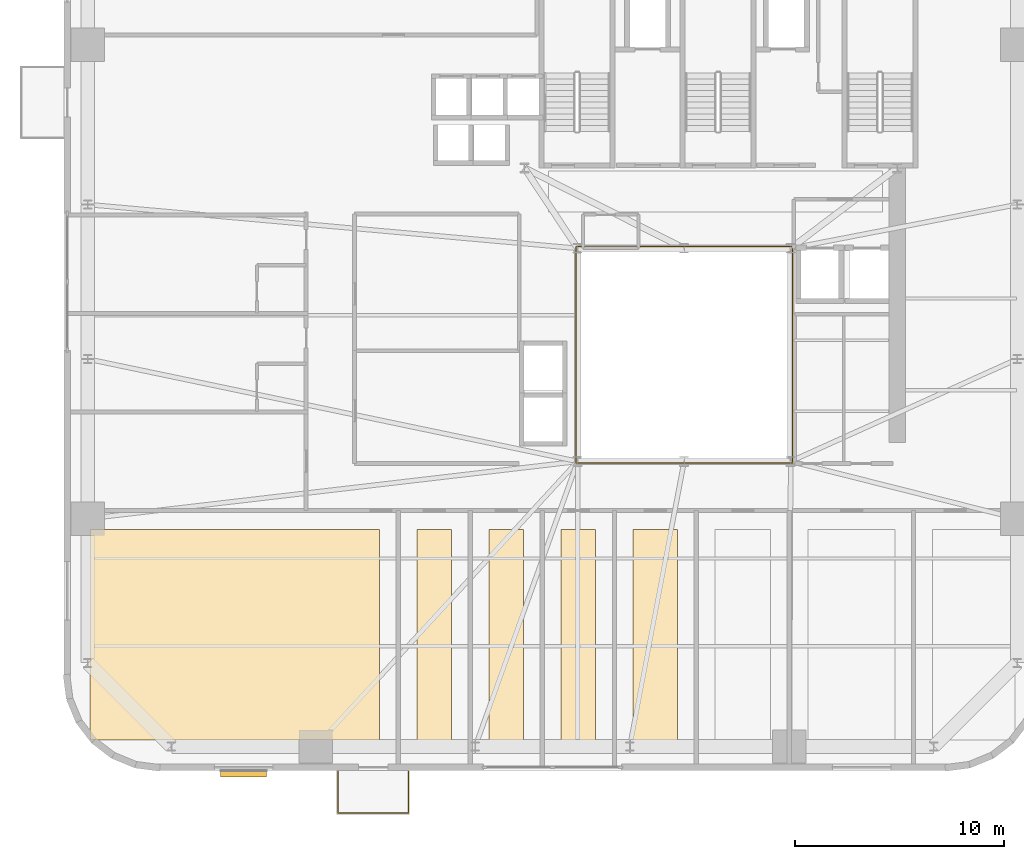
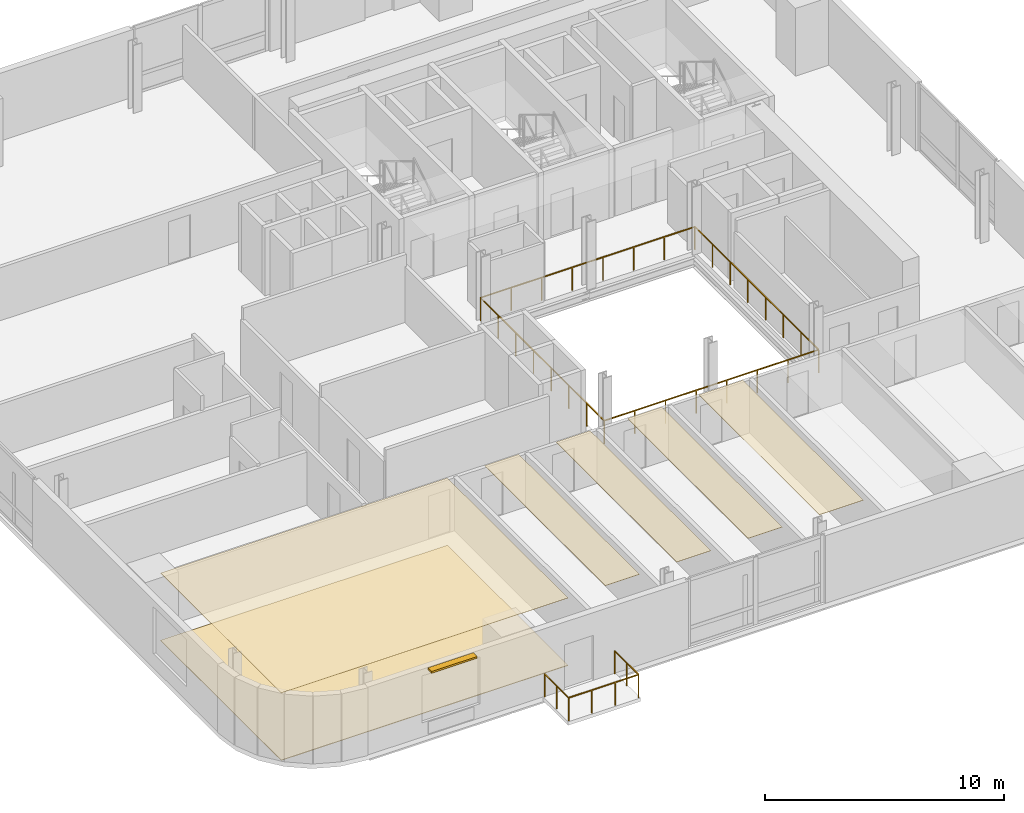
# One storey, part 10 of 14: 6 coverings, 2 railings, 1 shading device.
"""IFC4 building model written with IfcOpenShell, lengths in metres."""

from ifc_helpers import new_model, si_unit, direction, frame, origin, origin_2d, place, context, subcontext, project, spatial, polyline, rectangle, outline, extrude, source, transform, mapped, material, layer, layer_set, type_object, element, save


model = new_model("IFC4")

# Units and contexts
model_context = context("Model", 3, precision=1e-05, world=origin(), true_north=direction((0.0, 1.0)))
body_context = subcontext(model_context, "Body", "Model", "MODEL_VIEW")
ifc_project = project(units=[si_unit("LENGTHUNIT", "METRE"), si_unit("AREAUNIT", "SQUARE_METRE"), si_unit("VOLUMEUNIT", "CUBIC_METRE"), si_unit("PLANEANGLEUNIT", "RADIAN"), si_unit("MASSUNIT", "GRAM", prefix="KILO")], contexts=[model_context])

# Site, building, storey
site_placement = place(None, origin())
site = spatial("IfcSite", under=ifc_project, at=site_placement, CompositionType="ELEMENT")
building_placement = place(site_placement, origin())
building = spatial("IfcBuilding", under=site, at=building_placement, Name="Vardaveli Station Tower", CompositionType="ELEMENT")
storey_placement = place(building_placement, frame((0.0, 0.0, 133.5)))
storey = spatial("IfcBuildingStorey", under=building, at=storey_placement, Name="L34", CompositionType="ELEMENT", Elevation=133.5)

# Coverings
ifc_material_1 = material(Name="Perforated acoustic mineral ceiling")
ifc_layer_1 = layer(ifc_material_1, 0.02001953125, Name="Perforated acoustic mineral ceiling")
ifc_layer_set_1 = layer_set([ifc_layer_1], Name="Perforated acoustic mineral ceiling")
covering_type_1 = type_object("IfcCoveringType", Name="COV-CEIL-AC20", PredefinedType="CEILING", material=ifc_layer_set_1)
covering_1_placement = place(storey_placement, frame((0.0, 0.0, 3.445068359375)))
element("IfcCovering", 1, at=covering_1_placement, inside=storey, type_object=covering_type_1, Name="CEIL-L34-1", PredefinedType="CEILING", context=body_context, shape_type="SweptSolid", body=[
    extrude(outline(polyline([(7.85009765625, 3.25), (21.71044921875, 3.25), (21.71044921875, 13.35009765625), (7.85009765625, 13.35009765625), (7.85009765625, 3.25)])), origin(), (0.0, 0.0, 1.0), 0.02001953125),
])
covering_2_placement = place(storey_placement, frame((0.0, 0.0, 3.445068359375)))
element("IfcCovering", 2, at=covering_2_placement, inside=storey, type_object=covering_type_1, Name="CEIL-L34-2", PredefinedType="CEILING", context=body_context, shape_type="SweptSolid", body=[
    extrude(outline(polyline([(23.510498046875, 3.25), (25.160400390625, 3.25), (25.160400390625, 13.35009765625), (23.510498046875, 13.35009765625), (23.510498046875, 3.25)])), origin(), (0.0, 0.0, 1.0), 0.02001953125),
])
covering_3_placement = place(storey_placement, frame((0.0, 0.0, 3.445068359375)))
element("IfcCovering", 3, at=covering_3_placement, inside=storey, type_object=covering_type_1, Name="CEIL-L34-3", PredefinedType="CEILING", context=body_context, shape_type="SweptSolid", body=[
    extrude(outline(polyline([(26.96044921875, 3.25), (28.6103515625, 3.25), (28.6103515625, 13.35009765625), (26.96044921875, 13.35009765625), (26.96044921875, 3.25)])), origin(), (0.0, 0.0, 1.0), 0.02001953125),
])
covering_4_placement = place(storey_placement, frame((0.0, 0.0, 3.445068359375)))
element("IfcCovering", 4, at=covering_4_placement, inside=storey, type_object=covering_type_1, Name="CEIL-L34-4", PredefinedType="CEILING", context=body_context, shape_type="SweptSolid", body=[
    extrude(outline(polyline([(30.410400390625, 3.25), (32.060302734375, 3.25), (32.060302734375, 13.35009765625), (30.410400390625, 13.35009765625), (30.410400390625, 3.25)])), origin(), (0.0, 0.0, 1.0), 0.02001953125),
])
covering_5_placement = place(storey_placement, frame((0.0, 0.0, 3.445068359375)))
element("IfcCovering", 5, at=covering_5_placement, inside=storey, type_object=covering_type_1, Name="CEIL-L34-5", PredefinedType="CEILING", context=body_context, shape_type="SweptSolid", body=[
    extrude(outline(polyline([(33.8603515625, 3.25), (35.981689453125, 3.25), (35.981689453125, 13.35009765625), (33.8603515625, 13.35009765625), (33.8603515625, 3.25)])), origin(), (0.0, 0.0, 1.0), 0.02001953125),
])
ifc_material_2 = material(Name="Honed Caucasian basalt and travertine flooring", Category="masonry")
ifc_layer_2 = layer(ifc_material_2, 0.030029296875, Name="Honed Caucasian basalt and travertine flooring")
ifc_layer_set_2 = layer_set([ifc_layer_2], Name="Honed Caucasian basalt and travertine flooring")
covering_type_2 = type_object("IfcCoveringType", Name="COV-FLOOR-ST30", PredefinedType="FLOORING", material=ifc_layer_set_2)
covering_6_placement = place(storey_placement, origin())
element("IfcCovering", 6, at=covering_6_placement, inside=storey, type_object=covering_type_2, Name="FLR-L34-1", PredefinedType="FLOORING", context=body_context, shape_type="SweptSolid", body=[
    extrude(outline(polyline([(7.85009765625, 3.25), (21.71044921875, 3.25), (21.71044921875, 13.35009765625), (7.85009765625, 13.35009765625), (7.85009765625, 3.25)])), origin(), (0.0, 0.0, 1.0), 0.030029296875),
])

# Railing
ifc_material_3 = material(Name="Laminated glass and stainless steel balustrade", Category="steel")
railing_type = type_object("IfcRailingType", Name="RL-BAL-1200", PredefinedType="BALUSTRADE", material=ifc_material_3)
shared_shape_1 = source(origin(), body_context, "Body", "SweptSolid", [
    extrude(rectangle(XDim=0.048095703125, YDim=0.048095703125, at=origin_2d()), frame((0.0, 0.0, 1.17578125), z_axis=(0.0, -1.0, 0.0), x_axis=(1.0, 0.0, 0.0)), (0.0, 0.0, 1.0), 2.0),
    extrude(rectangle(XDim=0.048095703125, YDim=0.048095703125, at=origin_2d()), frame((0.0, -2.0, 1.17578125), z_axis=(1.0, 0.0, 0.0), x_axis=(0.0, 1.0, 0.0)), (0.0, 0.0, 1.0), 3.3798828125),
    extrude(rectangle(XDim=0.048095703125, YDim=0.048095703125, at=origin_2d()), frame((3.3798828125, -2.0, 1.17578125), z_axis=(0.0, 1.0, 0.0), x_axis=(-1.0, 0.0, 0.0)), (0.0, 0.0, 1.0), 2.0),
    extrude(rectangle(XDim=0.0419921875, YDim=0.0419921875, at=origin_2d()), origin(), (0.0, 0.0, 1.0), 1.15185546875),
    extrude(rectangle(XDim=0.0419921875, YDim=0.0419921875, at=origin_2d()), frame((0.0, -1.0, 0.0)), (0.0, 0.0, 1.0), 1.15185546875),
    extrude(rectangle(XDim=0.0419921875, YDim=0.0419921875, at=origin_2d()), frame((0.0, -2.0, 0.0)), (0.0, 0.0, 1.0), 1.15185546875),
    extrude(rectangle(XDim=0.0419921875, YDim=0.0419921875, at=origin_2d()), frame((1.126708984375, -2.0, 0.0)), (0.0, 0.0, 1.0), 1.15185546875),
    extrude(rectangle(XDim=0.0419921875, YDim=0.0419921875, at=origin_2d()), frame((2.253173828125, -2.0, 0.0)), (0.0, 0.0, 1.0), 1.15185546875),
    extrude(rectangle(XDim=0.0419921875, YDim=0.0419921875, at=origin_2d()), frame((3.3798828125, -2.0, 0.0)), (0.0, 0.0, 1.0), 1.15185546875),
    extrude(rectangle(XDim=0.0419921875, YDim=0.0419921875, at=origin_2d()), frame((3.3798828125, -1.0, 0.0)), (0.0, 0.0, 1.0), 1.15185546875),
    extrude(rectangle(XDim=0.0419921875, YDim=0.0419921875, at=origin_2d()), frame((3.3798828125, 0.0, 0.0)), (0.0, 0.0, 1.0), 1.15185546875),
])
railing_1_placement = place(storey_placement, frame((19.720458984375, 1.760009765625, 0.0)))
element("IfcRailing", 7, at=railing_1_placement, inside=storey, type_object=railing_type, Name="RL-LOG-L34-01", PredefinedType="BALUSTRADE", context=body_context, shape_type="MappedRepresentation", body=[
    mapped(shared_shape_1, transform((0.0, 0.0, 0.0), scale=1.0)),
])

# Shading device
ifc_material_4 = material(Name="Anodised champagne aluminium sunshade", Category="aluminium")
ifc_layer_3 = layer(ifc_material_4, 0.090087890625, Name="Anodised champagne aluminium sunshade")
ifc_layer_set_3 = layer_set([ifc_layer_3], Name="Anodised champagne aluminium sunshade")
shading_device_type = type_object("IfcShadingDeviceType", Name="SHD-SUNSHADE", PredefinedType="USERDEFINED", material=ifc_layer_set_3)
shared_shape_2 = source(origin(), body_context, "Body", "SweptSolid", [
    extrude(rectangle(XDim=2.199951171875, YDim=0.320068359375, at=origin_2d()), origin(), (0.0, 0.0, 1.0), 0.090087890625),
])
shading_device_placement = place(storey_placement, frame((15.205078125, 1.655029296875, 3.33984375), z_axis=(0.0, 0.0, 1.0), x_axis=(1.0, 0.0, 0.0)))
element("IfcShadingDevice", 8, at=shading_device_placement, inside=storey, type_object=shading_device_type, Name="SHD-SS-L34-S", ObjectType="SUNSHADE", PredefinedType="USERDEFINED", context=body_context, shape_type="MappedRepresentation", body=[
    mapped(shared_shape_2, transform((0.0, 0.0, 0.0), scale=1.0)),
])

# Railing
shared_shape_3 = source(origin(), body_context, "Body", "SweptSolid", [
    extrude(rectangle(XDim=0.048095703125, YDim=0.048095703125, at=origin_2d()), frame((0.0, 0.0, 1.17578125), z_axis=(1.0, 0.0, 0.0), x_axis=(0.0, 1.0, 0.0)), (0.0, 0.0, 1.0), 10.35986328125),
    extrude(rectangle(XDim=0.048095703125, YDim=0.048095703125, at=origin_2d()), frame((10.35986328125, 0.0, 1.17578125), z_axis=(0.0, 1.0, 0.0), x_axis=(-1.0, 0.0, 0.0)), (0.0, 0.0, 1.0), 10.35986328125),
    extrude(rectangle(XDim=0.048095703125, YDim=0.048095703125, at=origin_2d()), frame((10.35986328125, 10.35986328125, 1.17578125), z_axis=(-1.0, 0.0, 0.0), x_axis=(0.0, -1.0, 0.0)), (0.0, 0.0, 1.0), 10.35986328125),
    extrude(rectangle(XDim=0.048095703125, YDim=0.048095703125, at=origin_2d()), frame((0.0, 10.35986328125, 1.17578125), z_axis=(0.0, -1.0, 0.0), x_axis=(1.0, 0.0, 0.0)), (0.0, 0.0, 1.0), 10.35986328125),
    extrude(rectangle(XDim=0.0419921875, YDim=0.0419921875, at=origin_2d()), origin(), (0.0, 0.0, 1.0), 1.15185546875),
    extrude(rectangle(XDim=0.0419921875, YDim=0.0419921875, at=origin_2d()), frame((1.47998046875, 0.0, 0.0)), (0.0, 0.0, 1.0), 1.15185546875),
    extrude(rectangle(XDim=0.0419921875, YDim=0.0419921875, at=origin_2d()), frame((2.9599609375, 0.0, 0.0)), (0.0, 0.0, 1.0), 1.15185546875),
    extrude(rectangle(XDim=0.0419921875, YDim=0.0419921875, at=origin_2d()), frame((4.43994140625, 0.0, 0.0)), (0.0, 0.0, 1.0), 1.15185546875),
    extrude(rectangle(XDim=0.0419921875, YDim=0.0419921875, at=origin_2d()), frame((5.919921875, 0.0, 0.0)), (0.0, 0.0, 1.0), 1.15185546875),
    extrude(rectangle(XDim=0.0419921875, YDim=0.0419921875, at=origin_2d()), frame((7.39990234375, 0.0, 0.0)), (0.0, 0.0, 1.0), 1.15185546875),
    extrude(rectangle(XDim=0.0419921875, YDim=0.0419921875, at=origin_2d()), frame((8.8798828125, 0.0, 0.0)), (0.0, 0.0, 1.0), 1.15185546875),
    extrude(rectangle(XDim=0.0419921875, YDim=0.0419921875, at=origin_2d()), frame((10.35986328125, 0.0, 0.0)), (0.0, 0.0, 1.0), 1.15185546875),
    extrude(rectangle(XDim=0.0419921875, YDim=0.0419921875, at=origin_2d()), frame((10.35986328125, 1.47998046875, 0.0)), (0.0, 0.0, 1.0), 1.15185546875),
    extrude(rectangle(XDim=0.0419921875, YDim=0.0419921875, at=origin_2d()), frame((10.35986328125, 2.9599609375, 0.0)), (0.0, 0.0, 1.0), 1.15185546875),
    extrude(rectangle(XDim=0.0419921875, YDim=0.0419921875, at=origin_2d()), frame((10.35986328125, 4.43994140625, 0.0)), (0.0, 0.0, 1.0), 1.15185546875),
    extrude(rectangle(XDim=0.0419921875, YDim=0.0419921875, at=origin_2d()), frame((10.35986328125, 5.919921875, 0.0)), (0.0, 0.0, 1.0), 1.15185546875),
    extrude(rectangle(XDim=0.0419921875, YDim=0.0419921875, at=origin_2d()), frame((10.35986328125, 7.39990234375, 0.0)), (0.0, 0.0, 1.0), 1.15185546875),
    extrude(rectangle(XDim=0.0419921875, YDim=0.0419921875, at=origin_2d()), frame((10.35986328125, 8.8798828125, 0.0)), (0.0, 0.0, 1.0), 1.15185546875),
    extrude(rectangle(XDim=0.0419921875, YDim=0.0419921875, at=origin_2d()), frame((10.35986328125, 10.35986328125, 0.0)), (0.0, 0.0, 1.0), 1.15185546875),
    extrude(rectangle(XDim=0.0419921875, YDim=0.0419921875, at=origin_2d()), frame((8.8798828125, 10.35986328125, 0.0)), (0.0, 0.0, 1.0), 1.15185546875),
    extrude(rectangle(XDim=0.0419921875, YDim=0.0419921875, at=origin_2d()), frame((7.39990234375, 10.35986328125, 0.0)), (0.0, 0.0, 1.0), 1.15185546875),
    extrude(rectangle(XDim=0.0419921875, YDim=0.0419921875, at=origin_2d()), frame((5.919921875, 10.35986328125, 0.0)), (0.0, 0.0, 1.0), 1.15185546875),
    extrude(rectangle(XDim=0.0419921875, YDim=0.0419921875, at=origin_2d()), frame((4.43994140625, 10.35986328125, 0.0)), (0.0, 0.0, 1.0), 1.15185546875),
    extrude(rectangle(XDim=0.0419921875, YDim=0.0419921875, at=origin_2d()), frame((2.9599609375, 10.35986328125, 0.0)), (0.0, 0.0, 1.0), 1.15185546875),
    extrude(rectangle(XDim=0.0419921875, YDim=0.0419921875, at=origin_2d()), frame((1.47998046875, 10.35986328125, 0.0)), (0.0, 0.0, 1.0), 1.15185546875),
    extrude(rectangle(XDim=0.0419921875, YDim=0.0419921875, at=origin_2d()), frame((0.0, 10.35986328125, 0.0)), (0.0, 0.0, 1.0), 1.15185546875),
    extrude(rectangle(XDim=0.0419921875, YDim=0.0419921875, at=origin_2d()), frame((0.0, 8.8798828125, 0.0)), (0.0, 0.0, 1.0), 1.15185546875),
    extrude(rectangle(XDim=0.0419921875, YDim=0.0419921875, at=origin_2d()), frame((0.0, 7.39990234375, 0.0)), (0.0, 0.0, 1.0), 1.15185546875),
    extrude(rectangle(XDim=0.0419921875, YDim=0.0419921875, at=origin_2d()), frame((0.0, 5.919921875, 0.0)), (0.0, 0.0, 1.0), 1.15185546875),
    extrude(rectangle(XDim=0.0419921875, YDim=0.0419921875, at=origin_2d()), frame((0.0, 4.43994140625, 0.0)), (0.0, 0.0, 1.0), 1.15185546875),
    extrude(rectangle(XDim=0.0419921875, YDim=0.0419921875, at=origin_2d()), frame((0.0, 2.9599609375, 0.0)), (0.0, 0.0, 1.0), 1.15185546875),
    extrude(rectangle(XDim=0.0419921875, YDim=0.0419921875, at=origin_2d()), frame((0.0, 1.47998046875, 0.0)), (0.0, 0.0, 1.0), 1.15185546875),
])
railing_2_placement = place(storey_placement, frame((31.1201171875, 16.52001953125, 0.0)))
element("IfcRailing", 9, at=railing_2_placement, inside=storey, type_object=railing_type, Name="RL-ATR-L34", PredefinedType="BALUSTRADE", context=body_context, shape_type="MappedRepresentation", body=[
    mapped(shared_shape_3, transform((0.0, 0.0, 0.0), scale=1.0)),
])

save(model, "model.ifc")
